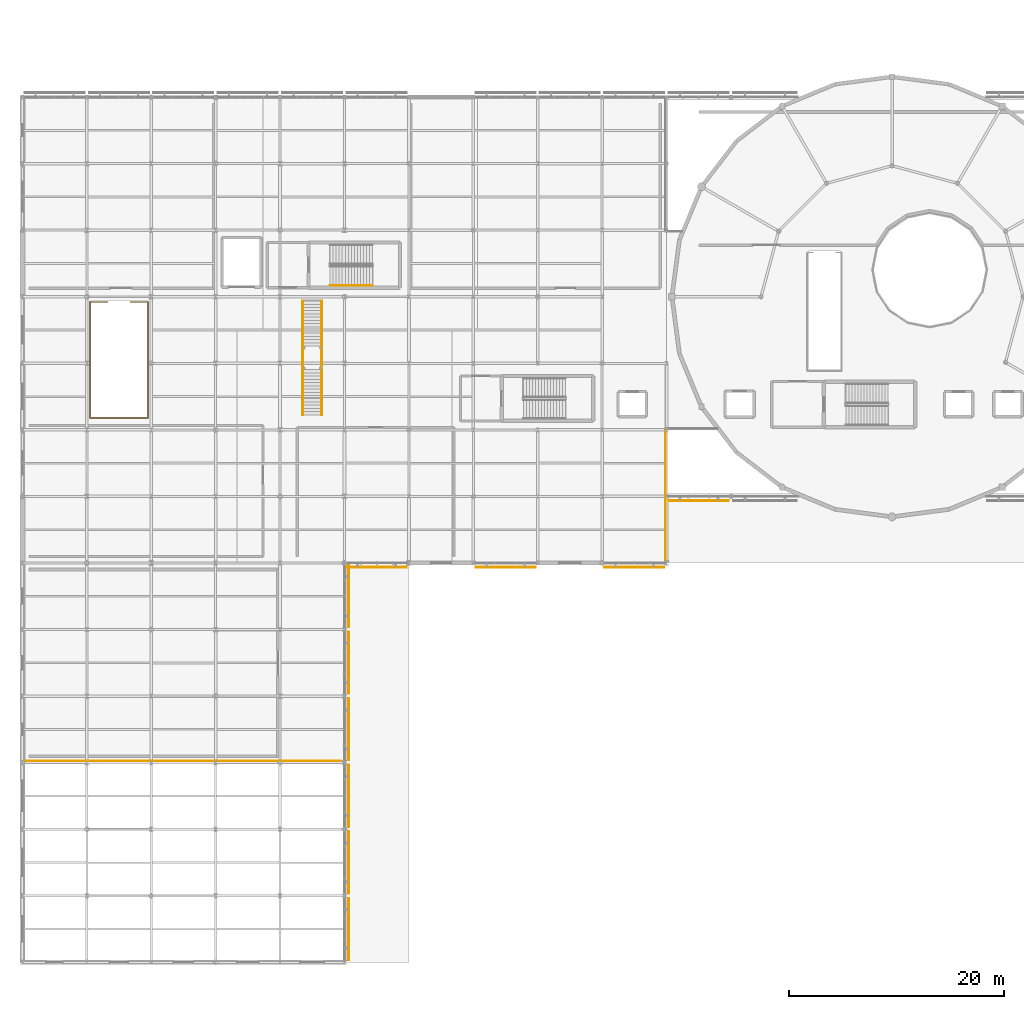
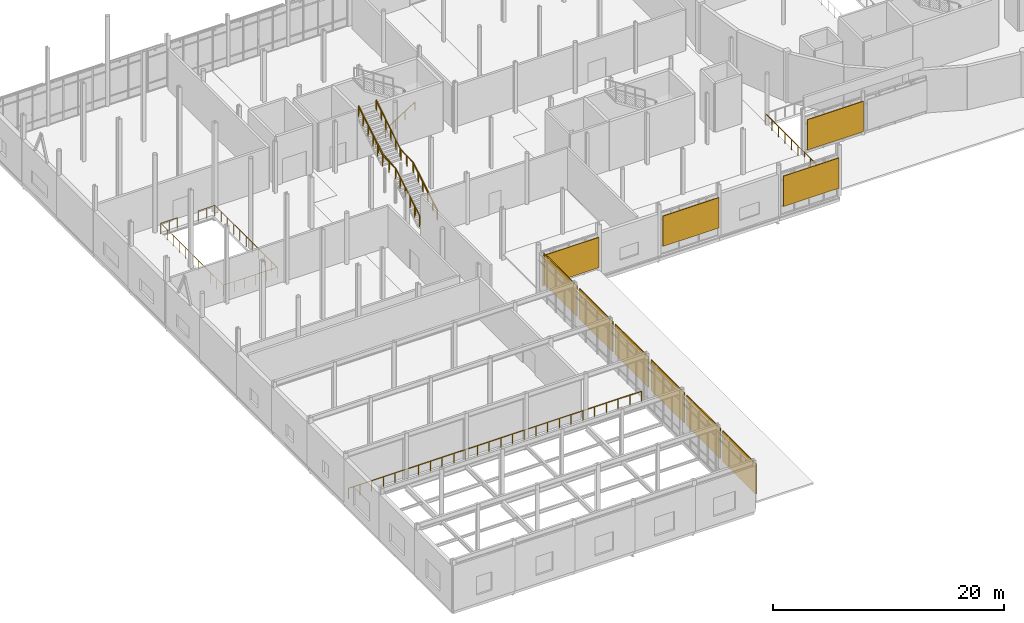
# One storey, part 91 of 105: 10 shading devices, 8 railings.
"""IFC4 building model written with IfcOpenShell, lengths in metres."""

import ifcopenshell
import ifcopenshell.guid

model = None  # the IFC model being written
_history = None  # IfcOwnerHistory: only IFC2X3 demands one
_inside = {}  # id of a spatial element -> (the spatial element, [elements in it])
_under = {}  # id of a project, library or spatial element -> (it, [spatial elements below it])
_declared = {}  # id of a project -> (the project, [libraries it declares])
_typed = {}  # id of a type object -> (the type object, [elements of that type])
_made_of = {}  # id of a material, layer set ... -> (it, [elements and type objects made of it])


def new_model(schema):
    """Start an empty IFC model of exactly this schema.

    Asked for "IFC4X3", IfcOpenShell would pick the latest addendum, in which some entities
    have other attributes; the version numbers below select the first issue.
    IFC2X3 requires an IfcOwnerHistory on every rooted entity: one is made here for all.
    """
    global model, _history
    if schema == "IFC4X3":
        model = ifcopenshell.file(schema_version=(4, 3, 0, 0))
    else:
        model = ifcopenshell.file(schema=schema)
    _inside.clear()
    _under.clear()
    _declared.clear()
    _typed.clear()
    _made_of.clear()
    _history = None
    if model.schema == "IFC2X3":
        org = make("IfcOrganization", Name="unknown")
        user = make(
            "IfcPersonAndOrganization",
            ThePerson=make("IfcPerson", FamilyName="unknown"),
            TheOrganization=org,
        )
        app = make(
            "IfcApplication",
            ApplicationDeveloper=org,
            Version="unknown",
            ApplicationFullName="unknown",
            ApplicationIdentifier="unknown",
        )
        _history = make(
            "IfcOwnerHistory",
            OwningUser=user,
            OwningApplication=app,
            ChangeAction="ADDED",
            CreationDate=0,
        )
    return model


def make(cls, **values):
    """One entity of the class cls with the attributes given. An attribute that is None is left unset."""
    return model.create_entity(
        cls, **{name: value for name, value in values.items() if value is not None}
    )


def rooted(cls, **values):
    """An entity with a GlobalId (a new one), such as an element, a storey or a relation."""
    return make(cls, GlobalId=ifcopenshell.guid.new(), OwnerHistory=_history, **values)


def si_unit(unit_type, name, prefix=None):
    """IfcSIUnit, for example si_unit("LENGTHUNIT", "METRE", prefix="MILLI")."""
    return make("IfcSIUnit", UnitType=unit_type, Prefix=prefix, Name=name)


def assignment(units):
    """IfcUnitAssignment: the units of a project."""
    return None if units is None else make("IfcUnitAssignment", Units=units)


def point(xyz):
    """IfcCartesianPoint."""
    return None if xyz is None else make("IfcCartesianPoint", Coordinates=xyz)


def direction(xyz):
    """IfcDirection."""
    return None if xyz is None else make("IfcDirection", DirectionRatios=xyz)


def frame(location, z_axis=None, x_axis=None):
    """IfcAxis2Placement3D, a coordinate frame: its origin and axes. An axis left out is left unset."""
    return make(
        "IfcAxis2Placement3D",
        Location=point(location),
        Axis=direction(z_axis),
        RefDirection=direction(x_axis),
    )


def frame_2d(location, x_axis=None):
    """IfcAxis2Placement2D, a coordinate frame in the plane: its origin and x axis."""
    return make(
        "IfcAxis2Placement2D", Location=point(location), RefDirection=direction(x_axis)
    )


def origin():
    """The frame at (0, 0, 0) with its axes left unset."""
    return frame((0.0, 0.0, 0.0))


def origin_2d():
    """The frame at (0, 0) in the plane with its x axis left unset."""
    return frame_2d((0.0, 0.0))


def place(relative_to, where):
    """IfcLocalPlacement: puts the frame where relative to a parent placement (None: the world)."""
    return make(
        "IfcLocalPlacement", PlacementRelTo=relative_to, RelativePlacement=where
    )


def context(
    kind, dimensions, precision=None, world=None, true_north=None, identifier=None
):
    """IfcGeometricRepresentationContext, for example the 3D "Model" context."""
    return make(
        "IfcGeometricRepresentationContext",
        ContextIdentifier=identifier,
        ContextType=kind,
        CoordinateSpaceDimension=dimensions,
        Precision=precision,
        WorldCoordinateSystem=world,
        TrueNorth=true_north,
    )


def subcontext(parent, identifier, kind, view, scale=None):
    """IfcGeometricRepresentationSubContext, for example "Body" below "Model"."""
    return make(
        "IfcGeometricRepresentationSubContext",
        ContextIdentifier=identifier,
        ContextType=kind,
        ParentContext=parent,
        TargetScale=scale,
        TargetView=view,
    )


def project(units=None, contexts=None):
    """IfcProject with its units and contexts."""
    return rooted(
        "IfcProject",
        Name="project",
        RepresentationContexts=contexts,
        UnitsInContext=assignment(units),
    )


def spatial(cls, under=None, at=None, **own):
    """A site, building, storey or space (cls), placed at a placement, below another one or the project."""
    s = rooted(cls, ObjectPlacement=at, **own)
    if under is not None:
        _under.setdefault(under.id(), (under, []))[1].append(s)
    return s


def profile(cls, at=None, kind="AREA", **sizes):
    """A parametric profile (cls). Its sizes go by their IFC names, for example OverallWidth=200.0."""
    return make(cls, ProfileType=kind, Position=at, **sizes)


def rectangle(**sizes):
    """IfcRectangleProfileDef."""
    return profile("IfcRectangleProfileDef", **sizes)


def circle(**sizes):
    """IfcCircleProfileDef."""
    return profile("IfcCircleProfileDef", **sizes)


def extrude(swept, where, along, depth):
    """IfcExtrudedAreaSolid: the profile swept, set in the frame where, extruded along a direction by depth."""
    return make(
        "IfcExtrudedAreaSolid",
        SweptArea=swept,
        Position=where,
        ExtrudedDirection=direction(along),
        Depth=depth,
    )


def shape(context_of_items, identifier, shape_type, items):
    """IfcShapeRepresentation: the items that make up one representation, for example the "Body"."""
    return make(
        "IfcShapeRepresentation",
        ContextOfItems=context_of_items,
        RepresentationIdentifier=identifier,
        RepresentationType=shape_type,
        Items=items,
    )


def material(Name=None, Category=None):
    """IfcMaterial."""
    return make("IfcMaterial", Name=Name, Category=Category)


def layer(
    of_material, thickness, ventilated=None, Name=None, Category=None, Priority=None
):
    """IfcMaterialLayer: one layer of a wall or slab, of a material (None: an air gap)."""
    return make(
        "IfcMaterialLayer",
        Material=of_material,
        LayerThickness=thickness,
        IsVentilated=ventilated,
        Name=Name,
        Category=Category,
        Priority=Priority,
    )


def layer_set(layers, Name=None):
    """IfcMaterialLayerSet."""
    return make("IfcMaterialLayerSet", MaterialLayers=layers, LayerSetName=Name)


def made_of(thing, what):
    """Note that an element or type object is made of a material, layer set ...; save() writes the relation."""
    if what is not None:
        _made_of.setdefault(what.id(), (what, []))[1].append(thing)
    return thing


def type_object(cls, material=None, **own):
    """A type object (cls), such as IfcWallType, which elements share."""
    return made_of(rooted(cls, **own), material)


def element(
    cls,
    number,
    at=None,
    inside=None,
    cuts=None,
    type_object=None,
    material=None,
    context=None,
    identifier="Body",
    shape_type=None,
    held_by="IfcProductDefinitionShape",
    body=None,
    shapes=None,
    **own,
):
    """One element of the class cls, such as IfcWall. Its Tag is "e" and its number.

    at: its placement. inside: the storey or other place that contains it. cuts: it is an
    opening in that element (IfcRelVoidsElement). A single representation is given by context,
    identifier, shape_type and body (its items); several are given by shapes. held_by: the class
    of the entity that holds the representations. save() writes the other relations.
    """
    e = rooted(cls, Tag="e%d" % number, ObjectPlacement=at, **own)
    if body is not None:
        shapes = [shape(context, identifier, shape_type, body)]
    if shapes is not None:
        e.Representation = make(held_by, Representations=shapes)
    if inside is not None:
        _inside.setdefault(inside.id(), (inside, []))[1].append(e)
    if cuts is not None:
        rooted(
            "IfcRelVoidsElement", RelatingBuildingElement=cuts, RelatedOpeningElement=e
        )
    if type_object is not None:
        _typed.setdefault(type_object.id(), (type_object, []))[1].append(e)
    return made_of(e, material)


def aggregate(whole, parts):
    """IfcRelAggregates: a whole, such as a stair, and the parts it consists of."""
    return rooted("IfcRelAggregates", RelatingObject=whole, RelatedObjects=parts)


def save(model, path):
    """Write the relations noted so far, then the file.

    IfcRelAggregates (storeys below a building ...), IfcRelContainedInSpatialStructure (elements
    in a storey), IfcRelDefinesByType, IfcRelAssociatesMaterial and IfcRelDeclares: one each for
    every whole, place, type object, material and project.
    """
    for whole, parts in _under.values():
        aggregate(whole, parts)
    for where, things in _inside.values():
        rooted(
            "IfcRelContainedInSpatialStructure",
            RelatedElements=things,
            RelatingStructure=where,
        )
    for kind, things in _typed.values():
        rooted("IfcRelDefinesByType", RelatedObjects=things, RelatingType=kind)
    for what, things in _made_of.values():
        rooted("IfcRelAssociatesMaterial", RelatedObjects=things, RelatingMaterial=what)
    for by, libraries in _declared.values():
        rooted("IfcRelDeclares", RelatingContext=by, RelatedDefinitions=libraries)
    model.write(path)


model = new_model("IFC4")

# Units and contexts
model_context = context("Model", 3, precision=1e-05, world=origin(), true_north=direction((0.0, 1.0)))
body_context = subcontext(model_context, "Body", "Model", "MODEL_VIEW")
ifc_project = project(units=[si_unit("LENGTHUNIT", "METRE"), si_unit("AREAUNIT", "SQUARE_METRE"), si_unit("VOLUMEUNIT", "CUBIC_METRE"), si_unit("PLANEANGLEUNIT", "RADIAN"), si_unit("MASSUNIT", "GRAM", prefix="KILO")], contexts=[model_context])

# Site, building, storey
site_placement = place(None, origin())
site = spatial("IfcSite", under=ifc_project, at=site_placement, CompositionType="ELEMENT")
building_placement = place(site_placement, origin())
building = spatial("IfcBuilding", under=site, at=building_placement, Name="Mirzam Square Science Centre", CompositionType="ELEMENT")
storey_placement = place(building_placement, frame((0.0, 0.0, 5.39990234375)))
storey = spatial("IfcBuildingStorey", under=building, at=storey_placement, Name="L01", CompositionType="ELEMENT", Elevation=5.39990234375)

# Railings
ifc_material_1 = material(Name="Bronze-Anodised Architectural Balustrade", Category="aluminium")
railing_type_1 = type_object("IfcRailingType", Name="RL-INT-GUARD-1100", PredefinedType="GUARDRAIL", material=ifc_material_1)
railing_1_placement = place(storey_placement, frame((26.090087890625, 51.0, 0.18017578125)))
element("IfcRailing", 1, at=railing_1_placement, inside=storey, type_object=railing_type_1, Name="ST-09 balustrade guard L", PredefinedType="GUARDRAIL", context=body_context, shape_type="SweptSolid", body=[
    extrude(circle(Radius=0.02392578125, at=origin_2d()), frame((0.0, 0.0, 1.09619140625), z_axis=(0.0, 0.857488527567, 0.514503085598), x_axis=(-1.0, 0.0, 0.0)), (0.0, 0.0, 1.0), 4.89794921875),
    extrude(circle(Radius=0.02392578125, at=origin_2d()), frame((0.0, 4.199951171875, 3.6162109375), z_axis=(0.0, 1.0, 0.0), x_axis=(-1.0, 0.0, 0.0)), (0.0, 0.0, 1.0), 2.199951171875),
    extrude(circle(Radius=0.02392578125, at=origin_2d()), frame((0.0, 6.39990234375, 3.6162109375), z_axis=(0.0, 0.841194361566, 0.540732878665), x_axis=(-1.0, 0.0, 0.0)), (0.0, 0.0, 1.0), 4.9931640625),
    extrude(circle(Radius=0.02099609375, at=origin_2d()), origin(), (0.0, 0.0, 1.0), 1.072021484375),
    extrude(circle(Radius=0.02099609375, at=origin_2d()), frame((0.0, 0.840087890625, 0.50390625)), (0.0, 0.0, 1.0), 1.072021484375),
    extrude(circle(Radius=0.02099609375, at=origin_2d()), frame((0.0, 1.679931640625, 1.008056640625)), (0.0, 0.0, 1.0), 1.072021484375),
    extrude(circle(Radius=0.02099609375, at=origin_2d()), frame((0.0, 2.52001953125, 1.511962890625)), (0.0, 0.0, 1.0), 1.072021484375),
    extrude(circle(Radius=0.02099609375, at=origin_2d()), frame((0.0, 3.35986328125, 2.01611328125)), (0.0, 0.0, 1.0), 1.072021484375),
    extrude(circle(Radius=0.02099609375, at=origin_2d()), frame((0.0, 4.199951171875, 2.52001953125)), (0.0, 0.0, 1.0), 1.072021484375),
    extrude(circle(Radius=0.02099609375, at=origin_2d()), frame((0.0, 5.2998046875, 2.52001953125)), (0.0, 0.0, 1.0), 1.072021484375),
    extrude(circle(Radius=0.02099609375, at=origin_2d()), frame((0.0, 6.39990234375, 2.52001953125)), (0.0, 0.0, 1.0), 1.072021484375),
    extrude(circle(Radius=0.02099609375, at=origin_2d()), frame((0.0, 7.239990234375, 3.06005859375)), (0.0, 0.0, 1.0), 1.072021484375),
    extrude(circle(Radius=0.02099609375, at=origin_2d()), frame((0.0, 8.080078125, 3.60009765625)), (0.0, 0.0, 1.0), 1.072021484375),
    extrude(circle(Radius=0.02099609375, at=origin_2d()), frame((0.0, 8.919921875, 4.139892578125)), (0.0, 0.0, 1.0), 1.072021484375),
    extrude(circle(Radius=0.02099609375, at=origin_2d()), frame((0.0, 9.760009765625, 4.679931640625)), (0.0, 0.0, 1.0), 1.072021484375),
    extrude(circle(Radius=0.02099609375, at=origin_2d()), frame((0.0, 10.60009765625, 5.219970703125)), (0.0, 0.0, 1.0), 1.072021484375),
])
railing_2_placement = place(storey_placement, frame((27.909912109375, 51.0, 0.18017578125)))
element("IfcRailing", 2, at=railing_2_placement, inside=storey, type_object=railing_type_1, Name="ST-09 balustrade guard R", PredefinedType="GUARDRAIL", context=body_context, shape_type="SweptSolid", body=[
    extrude(circle(Radius=0.02392578125, at=origin_2d()), frame((0.0, 0.0, 1.09619140625), z_axis=(0.0, 0.857488527567, 0.514503085598), x_axis=(-1.0, 0.0, 0.0)), (0.0, 0.0, 1.0), 4.89794921875),
    extrude(circle(Radius=0.02392578125, at=origin_2d()), frame((0.0, 4.199951171875, 3.6162109375), z_axis=(0.0, 1.0, 0.0), x_axis=(-1.0, 0.0, 0.0)), (0.0, 0.0, 1.0), 2.199951171875),
    extrude(circle(Radius=0.02392578125, at=origin_2d()), frame((0.0, 6.39990234375, 3.6162109375), z_axis=(0.0, 0.841194361566, 0.540732878665), x_axis=(-1.0, 0.0, 0.0)), (0.0, 0.0, 1.0), 4.9931640625),
    extrude(circle(Radius=0.02099609375, at=origin_2d()), origin(), (0.0, 0.0, 1.0), 1.072021484375),
    extrude(circle(Radius=0.02099609375, at=origin_2d()), frame((0.0, 0.840087890625, 0.50390625)), (0.0, 0.0, 1.0), 1.072021484375),
    extrude(circle(Radius=0.02099609375, at=origin_2d()), frame((0.0, 1.679931640625, 1.008056640625)), (0.0, 0.0, 1.0), 1.072021484375),
    extrude(circle(Radius=0.02099609375, at=origin_2d()), frame((0.0, 2.52001953125, 1.511962890625)), (0.0, 0.0, 1.0), 1.072021484375),
    extrude(circle(Radius=0.02099609375, at=origin_2d()), frame((0.0, 3.35986328125, 2.01611328125)), (0.0, 0.0, 1.0), 1.072021484375),
    extrude(circle(Radius=0.02099609375, at=origin_2d()), frame((0.0, 4.199951171875, 2.52001953125)), (0.0, 0.0, 1.0), 1.072021484375),
    extrude(circle(Radius=0.02099609375, at=origin_2d()), frame((0.0, 5.2998046875, 2.52001953125)), (0.0, 0.0, 1.0), 1.072021484375),
    extrude(circle(Radius=0.02099609375, at=origin_2d()), frame((0.0, 6.39990234375, 2.52001953125)), (0.0, 0.0, 1.0), 1.072021484375),
    extrude(circle(Radius=0.02099609375, at=origin_2d()), frame((0.0, 7.239990234375, 3.06005859375)), (0.0, 0.0, 1.0), 1.072021484375),
    extrude(circle(Radius=0.02099609375, at=origin_2d()), frame((0.0, 8.080078125, 3.60009765625)), (0.0, 0.0, 1.0), 1.072021484375),
    extrude(circle(Radius=0.02099609375, at=origin_2d()), frame((0.0, 8.919921875, 4.139892578125)), (0.0, 0.0, 1.0), 1.072021484375),
    extrude(circle(Radius=0.02099609375, at=origin_2d()), frame((0.0, 9.760009765625, 4.679931640625)), (0.0, 0.0, 1.0), 1.072021484375),
    extrude(circle(Radius=0.02099609375, at=origin_2d()), frame((0.0, 10.60009765625, 5.219970703125)), (0.0, 0.0, 1.0), 1.072021484375),
])
railing_3_placement = place(storey_placement, frame((10.050048828125, 61.5, 0.0)))
element("IfcRailing", 3, at=railing_3_placement, inside=storey, type_object=railing_type_1, Name="L01 exh1-void edge guard", PredefinedType="GUARDRAIL", context=body_context, shape_type="SweptSolid", body=[
    extrude(circle(Radius=0.02392578125, at=origin_2d()), frame((0.0, 0.0, 1.09619140625), z_axis=(1.0, 0.0, 0.0), x_axis=(0.0, 1.0, 0.0)), (0.0, 0.0, 1.0), 1.64990234375),
    extrude(circle(Radius=0.02392578125, at=origin_2d()), frame((1.64990234375, 0.0, 1.09619140625), z_axis=(0.0, -1.0, 0.0), x_axis=(1.0, 0.0, 0.0)), (0.0, 0.0, 1.0), 10.800048828125),
    extrude(circle(Radius=0.02392578125, at=origin_2d()), frame((1.64990234375, -10.800048828125, 1.09619140625), z_axis=(-1.0, 0.0, 0.0), x_axis=(0.0, -1.0, 0.0)), (0.0, 0.0, 1.0), 5.39990234375),
    extrude(circle(Radius=0.02392578125, at=origin_2d()), frame((-3.75, -10.800048828125, 1.09619140625), z_axis=(0.0, 1.0, 0.0), x_axis=(-1.0, 0.0, 0.0)), (0.0, 0.0, 1.0), 10.800048828125),
    extrude(circle(Radius=0.02392578125, at=origin_2d()), frame((-3.75, 0.0, 1.09619140625), z_axis=(1.0, 0.0, 0.0), x_axis=(0.0, 1.0, 0.0)), (0.0, 0.0, 1.0), 1.64990234375),
    extrude(circle(Radius=0.02099609375, at=origin_2d()), origin(), (0.0, 0.0, 1.0), 1.072021484375),
    extrude(circle(Radius=0.02099609375, at=origin_2d()), frame((0.824951171875, 0.0, 0.0)), (0.0, 0.0, 1.0), 1.072021484375),
    extrude(circle(Radius=0.02099609375, at=origin_2d()), frame((1.64990234375, 0.0, 0.0)), (0.0, 0.0, 1.0), 1.072021484375),
    extrude(circle(Radius=0.02099609375, at=origin_2d()), frame((1.64990234375, -1.080078125, 0.0)), (0.0, 0.0, 1.0), 1.072021484375),
    extrude(circle(Radius=0.02099609375, at=origin_2d()), frame((1.64990234375, -2.159912109375, 0.0)), (0.0, 0.0, 1.0), 1.072021484375),
    extrude(circle(Radius=0.02099609375, at=origin_2d()), frame((1.64990234375, -3.239990234375, 0.0)), (0.0, 0.0, 1.0), 1.072021484375),
    extrude(circle(Radius=0.02099609375, at=origin_2d()), frame((1.64990234375, -4.320068359375, 0.0)), (0.0, 0.0, 1.0), 1.072021484375),
    extrude(circle(Radius=0.02099609375, at=origin_2d()), frame((1.64990234375, -5.39990234375, 0.0)), (0.0, 0.0, 1.0), 1.072021484375),
    extrude(circle(Radius=0.02099609375, at=origin_2d()), frame((1.64990234375, -6.47998046875, 0.0)), (0.0, 0.0, 1.0), 1.072021484375),
    extrude(circle(Radius=0.02099609375, at=origin_2d()), frame((1.64990234375, -7.56005859375, 0.0)), (0.0, 0.0, 1.0), 1.072021484375),
    extrude(circle(Radius=0.02099609375, at=origin_2d()), frame((1.64990234375, -8.64013671875, 0.0)), (0.0, 0.0, 1.0), 1.072021484375),
    extrude(circle(Radius=0.02099609375, at=origin_2d()), frame((1.64990234375, -9.719970703125, 0.0)), (0.0, 0.0, 1.0), 1.072021484375),
    extrude(circle(Radius=0.02099609375, at=origin_2d()), frame((1.64990234375, -10.800048828125, 0.0)), (0.0, 0.0, 1.0), 1.072021484375),
    extrude(circle(Radius=0.02099609375, at=origin_2d()), frame((0.56982421875, -10.800048828125, 0.0)), (0.0, 0.0, 1.0), 1.072021484375),
    extrude(circle(Radius=0.02099609375, at=origin_2d()), frame((-0.510009765625, -10.800048828125, 0.0)), (0.0, 0.0, 1.0), 1.072021484375),
    extrude(circle(Radius=0.02099609375, at=origin_2d()), frame((-1.590087890625, -10.800048828125, 0.0)), (0.0, 0.0, 1.0), 1.072021484375),
    extrude(circle(Radius=0.02099609375, at=origin_2d()), frame((-2.669921875, -10.800048828125, 0.0)), (0.0, 0.0, 1.0), 1.072021484375),
    extrude(circle(Radius=0.02099609375, at=origin_2d()), frame((-3.75, -10.800048828125, 0.0)), (0.0, 0.0, 1.0), 1.072021484375),
    extrude(circle(Radius=0.02099609375, at=origin_2d()), frame((-3.75, -9.719970703125, 0.0)), (0.0, 0.0, 1.0), 1.072021484375),
    extrude(circle(Radius=0.02099609375, at=origin_2d()), frame((-3.75, -8.64013671875, 0.0)), (0.0, 0.0, 1.0), 1.072021484375),
    extrude(circle(Radius=0.02099609375, at=origin_2d()), frame((-3.75, -7.56005859375, 0.0)), (0.0, 0.0, 1.0), 1.072021484375),
    extrude(circle(Radius=0.02099609375, at=origin_2d()), frame((-3.75, -6.47998046875, 0.0)), (0.0, 0.0, 1.0), 1.072021484375),
    extrude(circle(Radius=0.02099609375, at=origin_2d()), frame((-3.75, -5.39990234375, 0.0)), (0.0, 0.0, 1.0), 1.072021484375),
    extrude(circle(Radius=0.02099609375, at=origin_2d()), frame((-3.75, -4.320068359375, 0.0)), (0.0, 0.0, 1.0), 1.072021484375),
    extrude(circle(Radius=0.02099609375, at=origin_2d()), frame((-3.75, -3.239990234375, 0.0)), (0.0, 0.0, 1.0), 1.072021484375),
    extrude(circle(Radius=0.02099609375, at=origin_2d()), frame((-3.75, -2.159912109375, 0.0)), (0.0, 0.0, 1.0), 1.072021484375),
    extrude(circle(Radius=0.02099609375, at=origin_2d()), frame((-3.75, -1.080078125, 0.0)), (0.0, 0.0, 1.0), 1.072021484375),
    extrude(circle(Radius=0.02099609375, at=origin_2d()), frame((-3.75, 0.0, 0.0)), (0.0, 0.0, 1.0), 1.072021484375),
    extrude(circle(Radius=0.02099609375, at=origin_2d()), frame((-2.925048828125, 0.0, 0.0)), (0.0, 0.0, 1.0), 1.072021484375),
    extrude(circle(Radius=0.02099609375, at=origin_2d()), frame((-2.10009765625, 0.0, 0.0)), (0.0, 0.0, 1.0), 1.072021484375),
])
railing_4_placement = place(storey_placement, frame((0.35009765625, 18.75, 0.0)))
element("IfcRailing", 4, at=railing_4_placement, inside=storey, type_object=railing_type_1, Name="L01 sw-mezz edge guard", PredefinedType="GUARDRAIL", context=body_context, shape_type="SweptSolid", body=[
    extrude(circle(Radius=0.02392578125, at=origin_2d()), frame((0.0, 0.0, 1.09619140625), z_axis=(1.0, 0.0, 0.0), x_axis=(0.0, 1.0, 0.0)), (0.0, 0.0, 1.0), 29.2998046875),
    extrude(circle(Radius=0.02099609375, at=origin_2d()), origin(), (0.0, 0.0, 1.0), 1.072021484375),
    extrude(circle(Radius=0.02099609375, at=origin_2d()), frame((1.171875, 0.0, 0.0)), (0.0, 0.0, 1.0), 1.072021484375),
    extrude(circle(Radius=0.02099609375, at=origin_2d()), frame((2.343994140625, 0.0, 0.0)), (0.0, 0.0, 1.0), 1.072021484375),
    extrude(circle(Radius=0.02099609375, at=origin_2d()), frame((3.515869140625, 0.0, 0.0)), (0.0, 0.0, 1.0), 1.072021484375),
    extrude(circle(Radius=0.02099609375, at=origin_2d()), frame((4.68798828125, 0.0, 0.0)), (0.0, 0.0, 1.0), 1.072021484375),
    extrude(circle(Radius=0.02099609375, at=origin_2d()), frame((5.85986328125, 0.0, 0.0)), (0.0, 0.0, 1.0), 1.072021484375),
    extrude(circle(Radius=0.02099609375, at=origin_2d()), frame((7.031982421875, 0.0, 0.0)), (0.0, 0.0, 1.0), 1.072021484375),
    extrude(circle(Radius=0.02099609375, at=origin_2d()), frame((8.203857421875, 0.0, 0.0)), (0.0, 0.0, 1.0), 1.072021484375),
    extrude(circle(Radius=0.02099609375, at=origin_2d()), frame((9.3759765625, 0.0, 0.0)), (0.0, 0.0, 1.0), 1.072021484375),
    extrude(circle(Radius=0.02099609375, at=origin_2d()), frame((10.5478515625, 0.0, 0.0)), (0.0, 0.0, 1.0), 1.072021484375),
    extrude(circle(Radius=0.02099609375, at=origin_2d()), frame((11.719970703125, 0.0, 0.0)), (0.0, 0.0, 1.0), 1.072021484375),
    extrude(circle(Radius=0.02099609375, at=origin_2d()), frame((12.891845703125, 0.0, 0.0)), (0.0, 0.0, 1.0), 1.072021484375),
    extrude(circle(Radius=0.02099609375, at=origin_2d()), frame((14.06396484375, 0.0, 0.0)), (0.0, 0.0, 1.0), 1.072021484375),
    extrude(circle(Radius=0.02099609375, at=origin_2d()), frame((15.23583984375, 0.0, 0.0)), (0.0, 0.0, 1.0), 1.072021484375),
    extrude(circle(Radius=0.02099609375, at=origin_2d()), frame((16.407958984375, 0.0, 0.0)), (0.0, 0.0, 1.0), 1.072021484375),
    extrude(circle(Radius=0.02099609375, at=origin_2d()), frame((17.579833984375, 0.0, 0.0)), (0.0, 0.0, 1.0), 1.072021484375),
    extrude(circle(Radius=0.02099609375, at=origin_2d()), frame((18.751953125, 0.0, 0.0)), (0.0, 0.0, 1.0), 1.072021484375),
    extrude(circle(Radius=0.02099609375, at=origin_2d()), frame((19.923828125, 0.0, 0.0)), (0.0, 0.0, 1.0), 1.072021484375),
    extrude(circle(Radius=0.02099609375, at=origin_2d()), frame((21.095947265625, 0.0, 0.0)), (0.0, 0.0, 1.0), 1.072021484375),
    extrude(circle(Radius=0.02099609375, at=origin_2d()), frame((22.267822265625, 0.0, 0.0)), (0.0, 0.0, 1.0), 1.072021484375),
    extrude(circle(Radius=0.02099609375, at=origin_2d()), frame((23.43994140625, 0.0, 0.0)), (0.0, 0.0, 1.0), 1.072021484375),
    extrude(circle(Radius=0.02099609375, at=origin_2d()), frame((24.61181640625, 0.0, 0.0)), (0.0, 0.0, 1.0), 1.072021484375),
    extrude(circle(Radius=0.02099609375, at=origin_2d()), frame((25.783935546875, 0.0, 0.0)), (0.0, 0.0, 1.0), 1.072021484375),
    extrude(circle(Radius=0.02099609375, at=origin_2d()), frame((26.955810546875, 0.0, 0.0)), (0.0, 0.0, 1.0), 1.072021484375),
    extrude(circle(Radius=0.02099609375, at=origin_2d()), frame((28.1279296875, 0.0, 0.0)), (0.0, 0.0, 1.0), 1.072021484375),
    extrude(circle(Radius=0.02099609375, at=origin_2d()), frame((29.2998046875, 0.0, 0.0)), (0.0, 0.0, 1.0), 1.072021484375),
])
ifc_material_2 = material(Name="Brushed Bronze Tubular Handrail", Category="aluminium")
railing_type_2 = type_object("IfcRailingType", Name="RL-STAIR-HANDRAIL-900", PredefinedType="HANDRAIL", material=ifc_material_2)
railing_5_placement = place(storey_placement, frame((28.669921875, 63.050048828125, 0.3720703125)))
element("IfcRailing", 5, at=railing_5_placement, inside=storey, type_object=railing_type_2, Name="L01 ST-02 stair handrail 1", PredefinedType="HANDRAIL", context=body_context, shape_type="SweptSolid", body=[
    extrude(circle(Radius=0.02392578125, at=origin_2d()), frame((0.0, 0.0, 0.8759765625), z_axis=(0.841186985886, 0.0, 0.540744352514), x_axis=(0.0, 1.0, 0.0)), (0.0, 0.0, 1.0), 4.660400390625),
    extrude(circle(Radius=0.02099609375, at=origin_2d()), origin(), (0.0, 0.0, 1.0), 0.851806640625),
    extrude(circle(Radius=0.02099609375, at=origin_2d()), frame((0.97998046875, 0.0, 0.6298828125)), (0.0, 0.0, 1.0), 0.851806640625),
    extrude(circle(Radius=0.02099609375, at=origin_2d()), frame((1.9599609375, 0.0, 1.260009765625)), (0.0, 0.0, 1.0), 0.851806640625),
    extrude(circle(Radius=0.02099609375, at=origin_2d()), frame((2.940185546875, 0.0, 1.89013671875)), (0.0, 0.0, 1.0), 0.851806640625),
    extrude(circle(Radius=0.02099609375, at=origin_2d()), frame((3.920166015625, 0.0, 2.52001953125)), (0.0, 0.0, 1.0), 0.851806640625),
])
railing_6_placement = place(storey_placement, frame((26.14990234375, 51.0, 0.3720703125)))
element("IfcRailing", 6, at=railing_6_placement, inside=storey, type_object=railing_type_2, Name="ST-09 handrail L", PredefinedType="HANDRAIL", context=body_context, shape_type="SweptSolid", body=[
    extrude(circle(Radius=0.02392578125, at=origin_2d()), frame((0.0, 0.0, 0.8759765625), z_axis=(0.0, 0.857488527567, 0.514503085598), x_axis=(-1.0, 0.0, 0.0)), (0.0, 0.0, 1.0), 4.89794921875),
    extrude(circle(Radius=0.02392578125, at=origin_2d()), frame((0.0, 4.199951171875, 3.39599609375), z_axis=(0.0, 0.996671973571, 0.081516728945), x_axis=(-1.0, 0.0, 0.0)), (0.0, 0.0, 1.0), 2.207275390625),
    extrude(circle(Radius=0.02392578125, at=origin_2d()), frame((0.0, 6.39990234375, 3.57568359375), z_axis=(0.0, 0.857501721439, 0.514481095599), x_axis=(-1.0, 0.0, 0.0)), (0.0, 0.0, 1.0), 4.898193359375),
    extrude(circle(Radius=0.02099609375, at=origin_2d()), origin(), (0.0, 0.0, 1.0), 0.851806640625),
    extrude(circle(Radius=0.02099609375, at=origin_2d()), frame((0.0, 0.840087890625, 0.50390625)), (0.0, 0.0, 1.0), 0.851806640625),
    extrude(circle(Radius=0.02099609375, at=origin_2d()), frame((0.0, 1.679931640625, 1.008056640625)), (0.0, 0.0, 1.0), 0.851806640625),
    extrude(circle(Radius=0.02099609375, at=origin_2d()), frame((0.0, 2.52001953125, 1.511962890625)), (0.0, 0.0, 1.0), 0.851806640625),
    extrude(circle(Radius=0.02099609375, at=origin_2d()), frame((0.0, 3.35986328125, 2.01611328125)), (0.0, 0.0, 1.0), 0.851806640625),
    extrude(circle(Radius=0.02099609375, at=origin_2d()), frame((0.0, 4.199951171875, 2.52001953125)), (0.0, 0.0, 1.0), 0.851806640625),
    extrude(circle(Radius=0.02099609375, at=origin_2d()), frame((0.0, 5.2998046875, 2.60986328125)), (0.0, 0.0, 1.0), 0.851806640625),
    extrude(circle(Radius=0.02099609375, at=origin_2d()), frame((0.0, 6.39990234375, 2.699951171875)), (0.0, 0.0, 1.0), 0.851806640625),
    extrude(circle(Radius=0.02099609375, at=origin_2d()), frame((0.0, 7.239990234375, 3.203857421875)), (0.0, 0.0, 1.0), 0.851806640625),
    extrude(circle(Radius=0.02099609375, at=origin_2d()), frame((0.0, 8.080078125, 3.7080078125)), (0.0, 0.0, 1.0), 0.851806640625),
    extrude(circle(Radius=0.02099609375, at=origin_2d()), frame((0.0, 8.919921875, 4.2119140625)), (0.0, 0.0, 1.0), 0.851806640625),
    extrude(circle(Radius=0.02099609375, at=origin_2d()), frame((0.0, 9.760009765625, 4.716064453125)), (0.0, 0.0, 1.0), 0.851806640625),
    extrude(circle(Radius=0.02099609375, at=origin_2d()), frame((0.0, 10.60009765625, 5.219970703125)), (0.0, 0.0, 1.0), 0.851806640625),
])
railing_7_placement = place(storey_placement, frame((27.85009765625, 51.0, 0.3720703125)))
element("IfcRailing", 7, at=railing_7_placement, inside=storey, type_object=railing_type_2, Name="ST-09 handrail R", PredefinedType="HANDRAIL", context=body_context, shape_type="SweptSolid", body=[
    extrude(circle(Radius=0.02392578125, at=origin_2d()), frame((0.0, 0.0, 0.8759765625), z_axis=(0.0, 0.857488527567, 0.514503085598), x_axis=(-1.0, 0.0, 0.0)), (0.0, 0.0, 1.0), 4.89794921875),
    extrude(circle(Radius=0.02392578125, at=origin_2d()), frame((0.0, 4.199951171875, 3.39599609375), z_axis=(0.0, 0.996671973571, 0.081516728945), x_axis=(-1.0, 0.0, 0.0)), (0.0, 0.0, 1.0), 2.207275390625),
    extrude(circle(Radius=0.02392578125, at=origin_2d()), frame((0.0, 6.39990234375, 3.57568359375), z_axis=(0.0, 0.857501721439, 0.514481095599), x_axis=(-1.0, 0.0, 0.0)), (0.0, 0.0, 1.0), 4.898193359375),
    extrude(circle(Radius=0.02099609375, at=origin_2d()), origin(), (0.0, 0.0, 1.0), 0.851806640625),
    extrude(circle(Radius=0.02099609375, at=origin_2d()), frame((0.0, 0.840087890625, 0.50390625)), (0.0, 0.0, 1.0), 0.851806640625),
    extrude(circle(Radius=0.02099609375, at=origin_2d()), frame((0.0, 1.679931640625, 1.008056640625)), (0.0, 0.0, 1.0), 0.851806640625),
    extrude(circle(Radius=0.02099609375, at=origin_2d()), frame((0.0, 2.52001953125, 1.511962890625)), (0.0, 0.0, 1.0), 0.851806640625),
    extrude(circle(Radius=0.02099609375, at=origin_2d()), frame((0.0, 3.35986328125, 2.01611328125)), (0.0, 0.0, 1.0), 0.851806640625),
    extrude(circle(Radius=0.02099609375, at=origin_2d()), frame((0.0, 4.199951171875, 2.52001953125)), (0.0, 0.0, 1.0), 0.851806640625),
    extrude(circle(Radius=0.02099609375, at=origin_2d()), frame((0.0, 5.2998046875, 2.60986328125)), (0.0, 0.0, 1.0), 0.851806640625),
    extrude(circle(Radius=0.02099609375, at=origin_2d()), frame((0.0, 6.39990234375, 2.699951171875)), (0.0, 0.0, 1.0), 0.851806640625),
    extrude(circle(Radius=0.02099609375, at=origin_2d()), frame((0.0, 7.239990234375, 3.203857421875)), (0.0, 0.0, 1.0), 0.851806640625),
    extrude(circle(Radius=0.02099609375, at=origin_2d()), frame((0.0, 8.080078125, 3.7080078125)), (0.0, 0.0, 1.0), 0.851806640625),
    extrude(circle(Radius=0.02099609375, at=origin_2d()), frame((0.0, 8.919921875, 4.2119140625)), (0.0, 0.0, 1.0), 0.851806640625),
    extrude(circle(Radius=0.02099609375, at=origin_2d()), frame((0.0, 9.760009765625, 4.716064453125)), (0.0, 0.0, 1.0), 0.851806640625),
    extrude(circle(Radius=0.02099609375, at=origin_2d()), frame((0.0, 10.60009765625, 5.219970703125)), (0.0, 0.0, 1.0), 0.851806640625),
])
railing_type_3 = type_object("IfcRailingType", Name="RL-TERR-GUARD-1100", PredefinedType="GUARDRAIL", material=ifc_material_1)
railing_8_placement = place(storey_placement, frame((59.8798828125, 37.35009765625, 0.0)))
element("IfcRailing", 8, at=railing_8_placement, inside=storey, type_object=railing_type_3, Name="L01 wedge east court edge guard", PredefinedType="GUARDRAIL", context=body_context, shape_type="SweptSolid", body=[
    extrude(circle(Radius=0.02392578125, at=origin_2d()), frame((0.0, 0.0, 1.09619140625), z_axis=(0.0, 1.0, 0.0), x_axis=(-1.0, 0.0, 0.0)), (0.0, 0.0, 1.0), 12.2998046875),
    extrude(circle(Radius=0.02099609375, at=origin_2d()), origin(), (0.0, 0.0, 1.0), 1.072021484375),
    extrude(circle(Radius=0.02099609375, at=origin_2d()), frame((0.0, 1.1181640625, 0.0)), (0.0, 0.0, 1.0), 1.072021484375),
    extrude(circle(Radius=0.02099609375, at=origin_2d()), frame((0.0, 2.236328125, 0.0)), (0.0, 0.0, 1.0), 1.072021484375),
    extrude(circle(Radius=0.02099609375, at=origin_2d()), frame((0.0, 3.3544921875, 0.0)), (0.0, 0.0, 1.0), 1.072021484375),
    extrude(circle(Radius=0.02099609375, at=origin_2d()), frame((0.0, 4.47265625, 0.0)), (0.0, 0.0, 1.0), 1.072021484375),
    extrude(circle(Radius=0.02099609375, at=origin_2d()), frame((0.0, 5.5908203125, 0.0)), (0.0, 0.0, 1.0), 1.072021484375),
    extrude(circle(Radius=0.02099609375, at=origin_2d()), frame((0.0, 6.708984375, 0.0)), (0.0, 0.0, 1.0), 1.072021484375),
    extrude(circle(Radius=0.02099609375, at=origin_2d()), frame((0.0, 7.8271484375, 0.0)), (0.0, 0.0, 1.0), 1.072021484375),
    extrude(circle(Radius=0.02099609375, at=origin_2d()), frame((0.0, 8.9453125, 0.0)), (0.0, 0.0, 1.0), 1.072021484375),
    extrude(circle(Radius=0.02099609375, at=origin_2d()), frame((0.0, 10.0634765625, 0.0)), (0.0, 0.0, 1.0), 1.072021484375),
    extrude(circle(Radius=0.02099609375, at=origin_2d()), frame((0.0, 11.181640625, 0.0)), (0.0, 0.0, 1.0), 1.072021484375),
    extrude(circle(Radius=0.02099609375, at=origin_2d()), frame((0.0, 12.2998046875, 0.0)), (0.0, 0.0, 1.0), 1.072021484375),
])

# Shading devices
ifc_material_3 = material(Name="Perforated Bronze-Anodised Aluminium Brise-Soleil", Category="aluminium")
ifc_layer = layer(ifc_material_3, 0.080078125)
ifc_layer_set = layer_set([ifc_layer], Name="SHD-BRISE-BRONZE")
shading_device_type = type_object("IfcShadingDeviceType", Name="SHD-BRISE-BRONZE", PredefinedType="JALOUSIE", material=ifc_layer_set)
for number, where, z_axis, x_axis, name in (
    (9, (33.0, 36.7900390625, 1.09033203125), (0.0, 0.0, 1.0), (1.0, 0.0, 0.0), "L01 bronze brise-soleil screen 16"),
    (10, (45.0, 36.7900390625, 1.09033203125), (0.0, 0.0, 1.0), (1.0, 0.0, 0.0), "L01 bronze brise-soleil screen 17"),
    (11, (57.0, 36.7900390625, 1.09033203125), (0.0, 0.0, 1.0), (1.0, 0.0, 0.0), "L01 bronze brise-soleil screen 18"),
):
    element("IfcShadingDevice", number, at=place(storey_placement, frame(where, z_axis=z_axis, x_axis=x_axis)), inside=storey, type_object=shading_device_type, Name=name, PredefinedType="JALOUSIE", context=body_context, shape_type="SweptSolid", body=[
        extrude(rectangle(XDim=5.590087890625, YDim=0.080078125, at=origin_2d()), origin(), (0.0, 0.0, 1.0), 3.199951171875),
    ])
for number, where, z_axis, x_axis, name in (
    (12, (30.409912109375, 3.10009765625, 1.2001953125), (0.0, 0.0, 1.0), (0.0, 1.0, 0.0), "L01 bronze brise-soleil screen 34"),
    (13, (30.409912109375, 9.300048828125, 1.2001953125), (0.0, 0.0, 1.0), (0.0, 1.0, 0.0), "L01 bronze brise-soleil screen 35"),
    (14, (30.409912109375, 15.5, 1.2001953125), (0.0, 0.0, 1.0), (0.0, 1.0, 0.0), "L01 bronze brise-soleil screen 36"),
    (15, (30.409912109375, 21.699951171875, 1.2001953125), (0.0, 0.0, 1.0), (0.0, 1.0, 0.0), "L01 bronze brise-soleil screen 37"),
    (16, (30.409912109375, 27.89990234375, 1.2001953125), (0.0, 0.0, 1.0), (0.0, 1.0, 0.0), "L01 bronze brise-soleil screen 38"),
    (17, (30.409912109375, 34.10009765625, 1.2001953125), (0.0, 0.0, 1.0), (0.0, 1.0, 0.0), "L01 bronze brise-soleil screen 39"),
):
    element("IfcShadingDevice", number, at=place(storey_placement, frame(where, z_axis=z_axis, x_axis=x_axis)), inside=storey, type_object=shading_device_type, Name=name, PredefinedType="JALOUSIE", context=body_context, shape_type="SweptSolid", body=[
        extrude(rectangle(XDim=5.7900390625, YDim=0.080078125, at=origin_2d()), origin(), (0.0, 0.0, 1.0), 3.199951171875),
    ])
shading_device_placement = place(storey_placement, frame((63.0, 42.989990234375, 1.2001953125), z_axis=(0.0, 0.0, 1.0), x_axis=(1.0, 0.0, 0.0)))
element("IfcShadingDevice", 18, at=shading_device_placement, inside=storey, type_object=shading_device_type, Name="L01 bronze brise-soleil screen 43", PredefinedType="JALOUSIE", context=body_context, shape_type="SweptSolid", body=[
    extrude(rectangle(XDim=5.590087890625, YDim=0.080078125, at=origin_2d()), origin(), (0.0, 0.0, 1.0), 3.199951171875),
])

save(model, "model.ifc")
